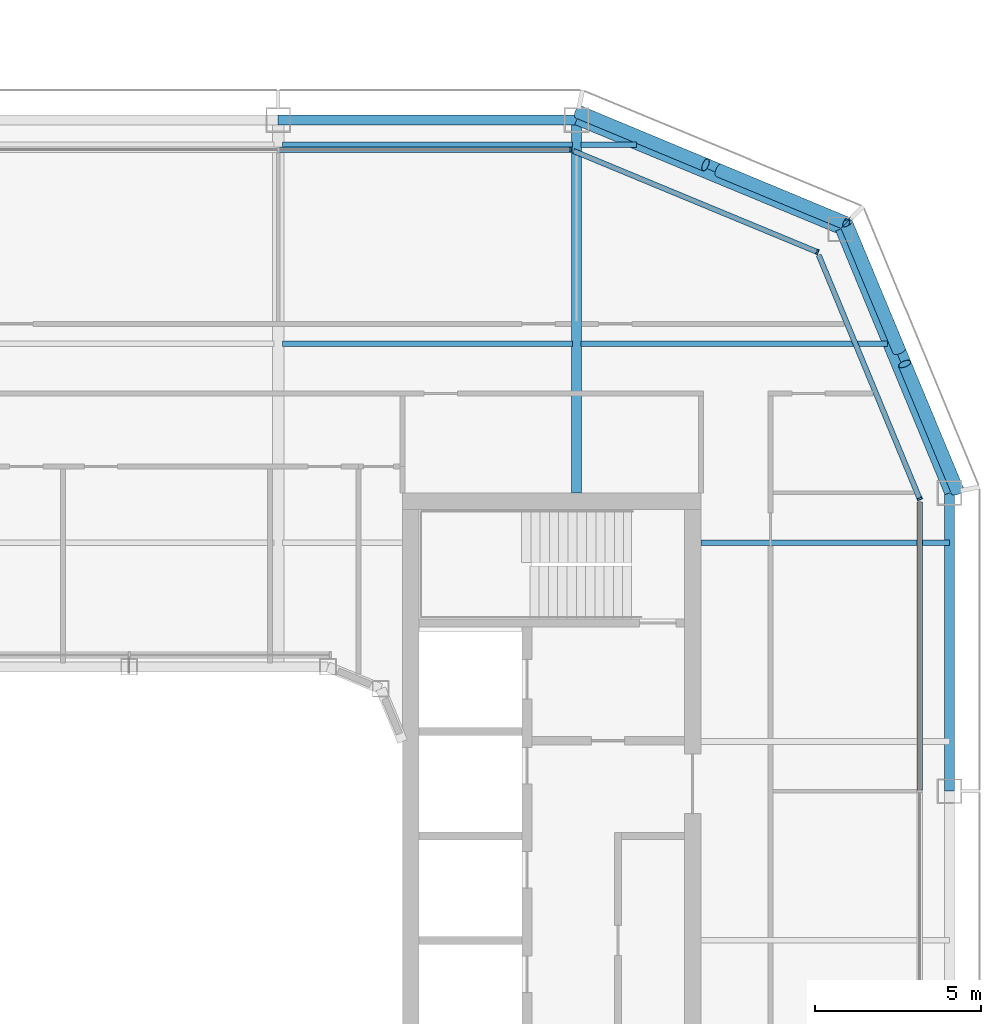
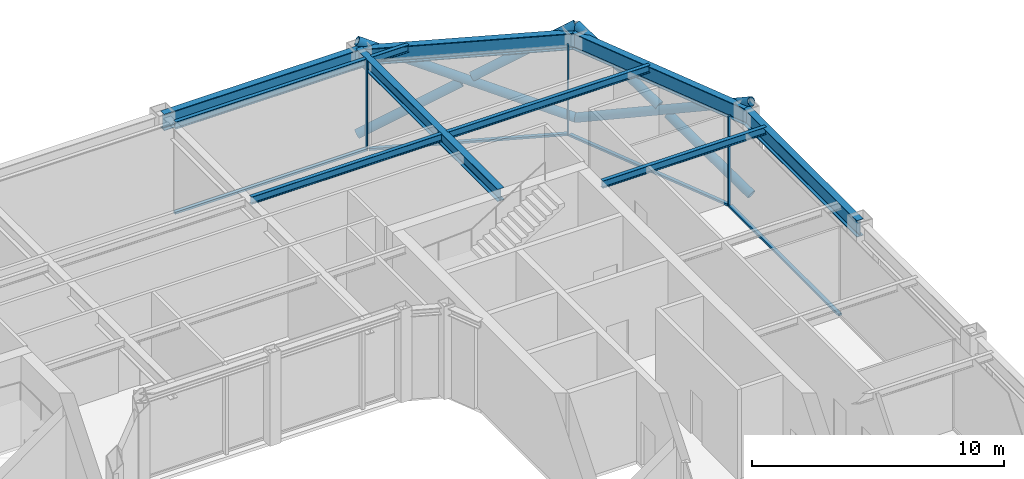
# One storey, part 9 of 21: 13 members, 10 beams, 4 elements without a shape of their own.
"""IFC4 building model written with IfcOpenShell, lengths in metres."""

import ifcopenshell
import ifcopenshell.guid

model = None  # the IFC model being written
_history = None  # IfcOwnerHistory: only IFC2X3 demands one
_inside = {}  # id of a spatial element -> (the spatial element, [elements in it])
_under = {}  # id of a project, library or spatial element -> (it, [spatial elements below it])
_declared = {}  # id of a project -> (the project, [libraries it declares])
_typed = {}  # id of a type object -> (the type object, [elements of that type])
_made_of = {}  # id of a material, layer set ... -> (it, [elements and type objects made of it])


def new_model(schema):
    """Start an empty IFC model of exactly this schema.

    Asked for "IFC4X3", IfcOpenShell would pick the latest addendum, in which some entities
    have other attributes; the version numbers below select the first issue.
    IFC2X3 requires an IfcOwnerHistory on every rooted entity: one is made here for all.
    """
    global model, _history
    if schema == "IFC4X3":
        model = ifcopenshell.file(schema_version=(4, 3, 0, 0))
    else:
        model = ifcopenshell.file(schema=schema)
    _inside.clear()
    _under.clear()
    _declared.clear()
    _typed.clear()
    _made_of.clear()
    _history = None
    if model.schema == "IFC2X3":
        org = make("IfcOrganization", Name="unknown")
        user = make(
            "IfcPersonAndOrganization",
            ThePerson=make("IfcPerson", FamilyName="unknown"),
            TheOrganization=org,
        )
        app = make(
            "IfcApplication",
            ApplicationDeveloper=org,
            Version="unknown",
            ApplicationFullName="unknown",
            ApplicationIdentifier="unknown",
        )
        _history = make(
            "IfcOwnerHistory",
            OwningUser=user,
            OwningApplication=app,
            ChangeAction="ADDED",
            CreationDate=0,
        )
    return model


def make(cls, **values):
    """One entity of the class cls with the attributes given. An attribute that is None is left unset."""
    return model.create_entity(
        cls, **{name: value for name, value in values.items() if value is not None}
    )


def rooted(cls, **values):
    """An entity with a GlobalId (a new one), such as an element, a storey or a relation."""
    return make(cls, GlobalId=ifcopenshell.guid.new(), OwnerHistory=_history, **values)


def si_unit(unit_type, name, prefix=None):
    """IfcSIUnit, for example si_unit("LENGTHUNIT", "METRE", prefix="MILLI")."""
    return make("IfcSIUnit", UnitType=unit_type, Prefix=prefix, Name=name)


def assignment(units):
    """IfcUnitAssignment: the units of a project."""
    return None if units is None else make("IfcUnitAssignment", Units=units)


def point(xyz):
    """IfcCartesianPoint."""
    return None if xyz is None else make("IfcCartesianPoint", Coordinates=xyz)


def direction(xyz):
    """IfcDirection."""
    return None if xyz is None else make("IfcDirection", DirectionRatios=xyz)


def frame(location, z_axis=None, x_axis=None):
    """IfcAxis2Placement3D, a coordinate frame: its origin and axes. An axis left out is left unset."""
    return make(
        "IfcAxis2Placement3D",
        Location=point(location),
        Axis=direction(z_axis),
        RefDirection=direction(x_axis),
    )


def frame_2d(location, x_axis=None):
    """IfcAxis2Placement2D, a coordinate frame in the plane: its origin and x axis."""
    return make(
        "IfcAxis2Placement2D", Location=point(location), RefDirection=direction(x_axis)
    )


def origin():
    """The frame at (0, 0, 0) with its axes left unset."""
    return frame((0.0, 0.0, 0.0))


def origin_2d():
    """The frame at (0, 0) in the plane with its x axis left unset."""
    return frame_2d((0.0, 0.0))


def place(relative_to, where):
    """IfcLocalPlacement: puts the frame where relative to a parent placement (None: the world)."""
    return make(
        "IfcLocalPlacement", PlacementRelTo=relative_to, RelativePlacement=where
    )


def context(
    kind, dimensions, precision=None, world=None, true_north=None, identifier=None
):
    """IfcGeometricRepresentationContext, for example the 3D "Model" context."""
    return make(
        "IfcGeometricRepresentationContext",
        ContextIdentifier=identifier,
        ContextType=kind,
        CoordinateSpaceDimension=dimensions,
        Precision=precision,
        WorldCoordinateSystem=world,
        TrueNorth=true_north,
    )


def subcontext(parent, identifier, kind, view, scale=None):
    """IfcGeometricRepresentationSubContext, for example "Body" below "Model"."""
    return make(
        "IfcGeometricRepresentationSubContext",
        ContextIdentifier=identifier,
        ContextType=kind,
        ParentContext=parent,
        TargetScale=scale,
        TargetView=view,
    )


def project(units=None, contexts=None):
    """IfcProject with its units and contexts."""
    return rooted(
        "IfcProject",
        Name="project",
        RepresentationContexts=contexts,
        UnitsInContext=assignment(units),
    )


def spatial(cls, under=None, at=None, **own):
    """A site, building, storey or space (cls), placed at a placement, below another one or the project."""
    s = rooted(cls, ObjectPlacement=at, **own)
    if under is not None:
        _under.setdefault(under.id(), (under, []))[1].append(s)
    return s


def profile(cls, at=None, kind="AREA", **sizes):
    """A parametric profile (cls). Its sizes go by their IFC names, for example OverallWidth=200.0."""
    return make(cls, ProfileType=kind, Position=at, **sizes)


def rectangle(**sizes):
    """IfcRectangleProfileDef."""
    return profile("IfcRectangleProfileDef", **sizes)


def hollow_circle(**sizes):
    """IfcCircleHollowProfileDef."""
    return profile("IfcCircleHollowProfileDef", **sizes)


def i_section(**sizes):
    """IfcIShapeProfileDef."""
    return profile("IfcIShapeProfileDef", **sizes)


def extrude(swept, where, along, depth):
    """IfcExtrudedAreaSolid: the profile swept, set in the frame where, extruded along a direction by depth."""
    return make(
        "IfcExtrudedAreaSolid",
        SweptArea=swept,
        Position=where,
        ExtrudedDirection=direction(along),
        Depth=depth,
    )


def shape(context_of_items, identifier, shape_type, items):
    """IfcShapeRepresentation: the items that make up one representation, for example the "Body"."""
    return make(
        "IfcShapeRepresentation",
        ContextOfItems=context_of_items,
        RepresentationIdentifier=identifier,
        RepresentationType=shape_type,
        Items=items,
    )


def material(Name=None, Category=None):
    """IfcMaterial."""
    return make("IfcMaterial", Name=Name, Category=Category)


def layer(
    of_material, thickness, ventilated=None, Name=None, Category=None, Priority=None
):
    """IfcMaterialLayer: one layer of a wall or slab, of a material (None: an air gap)."""
    return make(
        "IfcMaterialLayer",
        Material=of_material,
        LayerThickness=thickness,
        IsVentilated=ventilated,
        Name=Name,
        Category=Category,
        Priority=Priority,
    )


def layer_set(layers, Name=None):
    """IfcMaterialLayerSet."""
    return make("IfcMaterialLayerSet", MaterialLayers=layers, LayerSetName=Name)


def material_profile(
    of_material, cross_section, Name=None, Category=None, Priority=None
):
    """IfcMaterialProfile: a cross section and its material."""
    return make(
        "IfcMaterialProfile",
        Name=Name,
        Material=of_material,
        Profile=cross_section,
        Priority=Priority,
        Category=Category,
    )


def profile_set(profiles, Name=None, composite=None):
    """IfcMaterialProfileSet."""
    return make(
        "IfcMaterialProfileSet",
        Name=Name,
        MaterialProfiles=profiles,
        CompositeProfile=composite,
    )


def made_of(thing, what):
    """Note that an element or type object is made of a material, layer set ...; save() writes the relation."""
    if what is not None:
        _made_of.setdefault(what.id(), (what, []))[1].append(thing)
    return thing


def type_object(cls, material=None, **own):
    """A type object (cls), such as IfcWallType, which elements share."""
    return made_of(rooted(cls, **own), material)


def element(
    cls,
    number,
    at=None,
    inside=None,
    cuts=None,
    type_object=None,
    material=None,
    context=None,
    identifier="Body",
    shape_type=None,
    held_by="IfcProductDefinitionShape",
    body=None,
    shapes=None,
    **own,
):
    """One element of the class cls, such as IfcWall. Its Tag is "e" and its number.

    at: its placement. inside: the storey or other place that contains it. cuts: it is an
    opening in that element (IfcRelVoidsElement). A single representation is given by context,
    identifier, shape_type and body (its items); several are given by shapes. held_by: the class
    of the entity that holds the representations. save() writes the other relations.
    """
    e = rooted(cls, Tag="e%d" % number, ObjectPlacement=at, **own)
    if body is not None:
        shapes = [shape(context, identifier, shape_type, body)]
    if shapes is not None:
        e.Representation = make(held_by, Representations=shapes)
    if inside is not None:
        _inside.setdefault(inside.id(), (inside, []))[1].append(e)
    if cuts is not None:
        rooted(
            "IfcRelVoidsElement", RelatingBuildingElement=cuts, RelatedOpeningElement=e
        )
    if type_object is not None:
        _typed.setdefault(type_object.id(), (type_object, []))[1].append(e)
    return made_of(e, material)


def aggregate(whole, parts):
    """IfcRelAggregates: a whole, such as a stair, and the parts it consists of."""
    return rooted("IfcRelAggregates", RelatingObject=whole, RelatedObjects=parts)


def save(model, path):
    """Write the relations noted so far, then the file.

    IfcRelAggregates (storeys below a building ...), IfcRelContainedInSpatialStructure (elements
    in a storey), IfcRelDefinesByType, IfcRelAssociatesMaterial and IfcRelDeclares: one each for
    every whole, place, type object, material and project.
    """
    for whole, parts in _under.values():
        aggregate(whole, parts)
    for where, things in _inside.values():
        rooted(
            "IfcRelContainedInSpatialStructure",
            RelatedElements=things,
            RelatingStructure=where,
        )
    for kind, things in _typed.values():
        rooted("IfcRelDefinesByType", RelatedObjects=things, RelatingType=kind)
    for what, things in _made_of.values():
        rooted("IfcRelAssociatesMaterial", RelatedObjects=things, RelatingMaterial=what)
    for by, libraries in _declared.values():
        rooted("IfcRelDeclares", RelatingContext=by, RelatedDefinitions=libraries)
    model.write(path)


model = new_model("IFC4")

# Units and contexts
model_context = context("Model", 3, precision=1e-05, world=origin(), true_north=direction((0.0, 1.0)))
body_context = subcontext(model_context, "Body", "Model", "MODEL_VIEW")
ifc_project = project(units=[si_unit("LENGTHUNIT", "METRE"), si_unit("AREAUNIT", "SQUARE_METRE"), si_unit("VOLUMEUNIT", "CUBIC_METRE"), si_unit("PLANEANGLEUNIT", "RADIAN"), si_unit("MASSUNIT", "GRAM", prefix="KILO")], contexts=[model_context])

# Site, building, storey
site_placement = place(None, origin())
site = spatial("IfcSite", under=ifc_project, at=site_placement, CompositionType="ELEMENT")
building_placement = place(site_placement, origin())
building = spatial("IfcBuilding", under=site, at=building_placement, Name="Siwar Civic Tower", CompositionType="ELEMENT")
storey_placement = place(building_placement, frame((0.0, 0.0, 294.199951171875)))
storey = spatial("IfcBuildingStorey", under=building, at=storey_placement, Name="L63", CompositionType="ELEMENT", Elevation=294.199951171875)

# Curtain wall, member
ifc_material_1 = material(Name="Aluminium clad insulated panel", Category="aluminium")
ifc_layer_1 = layer(ifc_material_1, 0.159912109375)
ifc_layer_set_1 = layer_set([ifc_layer_1], Name="Aluminium clad insulated panel")
curtain_wall_type_1 = type_object("IfcCurtainWallType", Name="ENV-CW-DX", PredefinedType="NOTDEFINED", material=ifc_layer_set_1)
curtain_wall_1_placement = place(storey_placement, origin())
curtain_wall_1 = element("IfcCurtainWall", 1, at=curtain_wall_1_placement, inside=storey, type_object=curtain_wall_type_1, Name="Curtain wall D NE1", PredefinedType="NOTDEFINED")
ifc_material_2 = material(Name="Aluminium 6063-T6", Category="aluminium")
ifc_material_profile_1 = material_profile(ifc_material_2, rectangle(XDim=0.159912109375, YDim=0.06005859375, at=origin_2d()), Name="AL 160x60")
ifc_profile_set_1 = profile_set([ifc_material_profile_1], Name="Aluminium 6063-T6")
member_type_1 = type_object("IfcMemberType", Name="ENV-MULLION-D", PredefinedType="MULLION", material=ifc_profile_set_1)
member_1_placement = place(storey_placement, frame((23.85009765625, 13.321044921875, 0.0), z_axis=(0.0, 0.0, 1.0), x_axis=(-0.923879532511, -0.382683432365, 0.0)))
member_1 = element("IfcMember", 2, at=member_1_placement, type_object=member_type_1, Name="Mullion D NE1 1", PredefinedType="MULLION", context=body_context, shape_type="SweptSolid", body=[
    extrude(rectangle(XDim=0.159912109375, YDim=0.06005859375, at=origin_2d()), origin(), (0.0, 0.0, 1.0), 4.35009765625),
])

curtain_wall_2_placement = place(storey_placement, origin())
curtain_wall_2 = element("IfcCurtainWall", 3, at=curtain_wall_2_placement, inside=storey, type_object=curtain_wall_type_1, Name="Curtain wall D NE2", PredefinedType="NOTDEFINED")
member_2_placement = place(storey_placement, frame((20.76611328125, 20.76611328125, 0.0), z_axis=(0.0, 0.0, 1.0), x_axis=(-0.382683432365, -0.923879532511, 0.0)))
member_2 = element("IfcMember", 4, at=member_2_placement, type_object=member_type_1, Name="Mullion D NE2 1", PredefinedType="MULLION", context=body_context, shape_type="SweptSolid", body=[
    extrude(rectangle(XDim=0.159912109375, YDim=0.06005859375, at=origin_2d()), origin(), (0.0, 0.0, 1.0), 4.35009765625),
])

ifc_material_3 = material(Name="Aluminium and glass", Category="aluminium")
ifc_layer_2 = layer(ifc_material_3, 0.159912109375)
ifc_layer_set_2 = layer_set([ifc_layer_2], Name="Aluminium and glass")
curtain_wall_type_2 = type_object("IfcCurtainWallType", Name="ENV-CW-D", PredefinedType="NOTDEFINED", material=ifc_layer_set_2)
curtain_wall_3_placement = place(storey_placement, origin())
curtain_wall_3 = element("IfcCurtainWall", 5, at=curtain_wall_3_placement, inside=storey, type_object=curtain_wall_type_2, Name="Curtain wall D N", PredefinedType="NOTDEFINED")
member_3_placement = place(storey_placement, frame((13.321044921875, 23.85009765625, 0.0), z_axis=(0.0, 0.0, 1.0), x_axis=(0.0, -1.0, 0.0)))
member_3 = element("IfcMember", 6, at=member_3_placement, type_object=member_type_1, Name="Mullion D N 1", PredefinedType="MULLION", context=body_context, shape_type="SweptSolid", body=[
    extrude(rectangle(XDim=0.159912109375, YDim=0.06005859375, at=origin_2d()), origin(), (0.0, 0.0, 1.0), 4.35009765625),
])

curtain_wall_4_placement = place(storey_placement, origin())
curtain_wall_4 = element("IfcCurtainWall", 7, at=curtain_wall_4_placement, inside=storey, type_object=curtain_wall_type_2, Name="Curtain wall D E", PredefinedType="NOTDEFINED")
ifc_material_4 = material(Name="Aluminium 6063-T6", Category="aluminium")
ifc_material_profile_2 = material_profile(ifc_material_4, rectangle(XDim=0.159912109375, YDim=0.10009765625, at=origin_2d()), Name="AL 160x100")
ifc_profile_set_2 = profile_set([ifc_material_profile_2], Name="Aluminium 6063-T6")
member_type_2 = type_object("IfcMemberType", Name="ENV-TRANSOM-D", PredefinedType="USERDEFINED", material=ifc_profile_set_2)
member_4_placement = place(storey_placement, frame((23.85009765625, 4.530029296875, 0.050048828125), z_axis=(0.0, 1.0, 0.0), x_axis=(-1.0, 0.0, 0.0)))
member_4 = element("IfcMember", 8, at=member_4_placement, type_object=member_type_2, Name="Transom D E 3", ObjectType="TRANSOM", PredefinedType="USERDEFINED", context=body_context, shape_type="SweptSolid", body=[
    extrude(rectangle(XDim=0.159912109375, YDim=0.10009765625, at=origin_2d()), origin(), (0.0, 0.0, 1.0), 8.693115234375),
])
aggregate(curtain_wall_4, [member_4])

# Member
member_5_placement = place(storey_placement, frame((23.838623046875, 13.3486328125, 0.050048828125), z_axis=(-0.382699790424, 0.923872756612, 0.0), x_axis=(-0.923872756612, -0.382699790424, 0.0)))
member_5 = element("IfcMember", 9, at=member_5_placement, type_object=member_type_2, Name="Transom D NE1 1", ObjectType="TRANSOM", PredefinedType="USERDEFINED", context=body_context, shape_type="SweptSolid", body=[
    extrude(rectangle(XDim=0.159912109375, YDim=0.10009765625, at=origin_2d()), origin(), (0.0, 0.0, 1.0), 7.930908203125),
])

aggregate(curtain_wall_1, [member_1, member_5])

member_6_placement = place(storey_placement, frame((20.738525390625, 20.777587890625, 0.050048828125), z_axis=(-0.923883640343, 0.382673515031, 0.0), x_axis=(-0.382673515031, -0.923883640343, 0.0)))
member_6 = element("IfcMember", 10, at=member_6_placement, type_object=member_type_2, Name="Transom D NE2 1", ObjectType="TRANSOM", PredefinedType="USERDEFINED", context=body_context, shape_type="SweptSolid", body=[
    extrude(rectangle(XDim=0.159912109375, YDim=0.10009765625, at=origin_2d()), origin(), (0.0, 0.0, 1.0), 7.930908203125),
])

aggregate(curtain_wall_2, [member_2, member_6])

member_7_placement = place(storey_placement, frame((13.291015625, 23.85009765625, 0.050048828125), z_axis=(-1.0, 0.0, 0.0), x_axis=(0.0, -1.0, 0.0)))
member_7 = element("IfcMember", 11, at=member_7_placement, type_object=member_type_2, Name="Transom D N 1", ObjectType="TRANSOM", PredefinedType="USERDEFINED", context=body_context, shape_type="SweptSolid", body=[
    extrude(rectangle(XDim=0.159912109375, YDim=0.10009765625, at=origin_2d()), origin(), (0.0, 0.0, 1.0), 8.760986328125),
])

aggregate(curtain_wall_3, [member_3, member_7])

# Members
ifc_material_5 = material(Name="Steel S355", Category="steel")
ifc_material_profile_3 = material_profile(ifc_material_5, hollow_circle(Radius=0.203125, WallThickness=0.01611328125, at=origin_2d()), Name="CHS406.4x16")
ifc_profile_set_3 = profile_set([ifc_material_profile_3], Name="Steel S355")
member_type_3 = type_object("IfcMemberType", Name="STR-BR-CHS406.4x16", PredefinedType="BRACE", material=ifc_profile_set_3)
member_8_placement = place(storey_placement, frame((21.6318359375, 21.6318359375, 0.0), z_axis=(-0.821142553604, 0.341671493852, 0.457149315816), x_axis=(-0.384163874976, -0.923264922524, 0.0)))
element("IfcMember", 12, at=member_8_placement, inside=storey, type_object=member_type_3, Name="L63/brc/DNE1-2-0-1", PredefinedType="BRACE", context=body_context, shape_type="SweptSolid", body=[
    extrude(hollow_circle(Radius=0.203125, WallThickness=0.01611328125, at=origin_2d()), origin(), (0.0, 0.0, 1.0), 9.843505859375),
])
for number, where, z_axis, x_axis, name in (
    (13, (13.548828125, 24.9951171875, 0.0), (0.821130093572, -0.341659024948, 0.45718101459), (0.384156893273, 0.923267827529, 0.0), "L63/brc/DNE1-2-0-2"),
    (14, (17.791259765625, 23.229736328125, 2.362060546875), (0.821166691915, -0.341652533125, 0.457120127208), (0.38413607648, 0.923276488787, 0.0), "L63/brc/DNE1-2-0-3"),
):
    element("IfcMember", number, at=place(storey_placement, frame(where, z_axis=z_axis, x_axis=x_axis)), inside=storey, type_object=member_type_3, Name=name, PredefinedType="BRACE", context=body_context, shape_type="SweptSolid", body=[
        extrude(hollow_circle(Radius=0.203125, WallThickness=0.01611328125, at=origin_2d()), origin(), (0.0, 0.0, 1.0), 4.677001953125),
    ])
member_9_placement = place(storey_placement, frame((21.6318359375, 21.6318359375, 0.0), z_axis=(0.341671493852, -0.821142553604, 0.457149315816), x_axis=(0.923264922524, 0.384163874976, 0.0)))
element("IfcMember", 15, at=member_9_placement, inside=storey, type_object=member_type_3, Name="L63/brc/DNE1-2-0-0", PredefinedType="BRACE", context=body_context, shape_type="SweptSolid", body=[
    extrude(hollow_circle(Radius=0.203125, WallThickness=0.01611328125, at=origin_2d()), origin(), (0.0, 0.0, 1.0), 9.843505859375),
])
for number, where, z_axis, x_axis, name in (
    (16, (24.9951171875, 13.548828125, 0.0), (-0.341659024948, 0.821130093572, 0.45718101459), (-0.923267827529, -0.384156893273, 0.0), "L63/brc/DNE1-2-0-4"),
    (17, (23.229736328125, 17.791259765625, 2.362060546875), (-0.341652533125, 0.821166691915, 0.457120127208), (-0.923276488787, -0.38413607648, 0.0), "L63/brc/DNE1-2-0-5"),
):
    element("IfcMember", number, at=place(storey_placement, frame(where, z_axis=z_axis, x_axis=x_axis)), inside=storey, type_object=member_type_3, Name=name, PredefinedType="BRACE", context=body_context, shape_type="SweptSolid", body=[
        extrude(hollow_circle(Radius=0.203125, WallThickness=0.01611328125, at=origin_2d()), origin(), (0.0, 0.0, 1.0), 4.677001953125),
    ])

# Beams
ifc_material_6 = material(Name="Steel S355", Category="steel")
ifc_material_profile_4 = material_profile(ifc_material_6, i_section(OverallWidth=0.169921875, OverallDepth=0.360107421875, WebThickness=0.008056640625, FlangeThickness=0.0126953125, FilletRadius=0.01806640625, at=origin_2d()), Name="IPE360")
ifc_profile_set_4 = profile_set([ifc_material_profile_4], Name="Steel S355")
beam_type_1 = type_object("IfcBeamType", Name="STR-FB-IPE360", PredefinedType="JOIST", material=ifc_profile_set_4)
beam_1_placement = place(storey_placement, frame((17.25, 12.0, 4.170166015625), z_axis=(1.0, 0.0, 0.0), x_axis=(0.0, 1.0, 0.0)))
element("IfcBeam", 18, at=beam_1_placement, inside=storey, type_object=beam_type_1, Name="L63/bm/F026", PredefinedType="JOIST", context=body_context, shape_type="SweptSolid", body=[
    extrude(i_section(OverallWidth=0.169921875, OverallDepth=0.360107421875, WebThickness=0.008056640625, FlangeThickness=0.0126953125, FilletRadius=0.01806640625, at=origin_2d()), origin(), (0.0, 0.0, 1.0), 7.5),
])
beam_2_placement = place(storey_placement, frame((4.6298828125, 18.0, 4.170166015625), z_axis=(1.0, 0.0, 0.0), x_axis=(0.0, 1.0, 0.0)))
element("IfcBeam", 19, at=beam_2_placement, inside=storey, type_object=beam_type_1, Name="L63/bm/F030", PredefinedType="JOIST", context=body_context, shape_type="SweptSolid", body=[
    extrude(i_section(OverallWidth=0.169921875, OverallDepth=0.360107421875, WebThickness=0.008056640625, FlangeThickness=0.0126953125, FilletRadius=0.01806640625, at=origin_2d()), origin(), (0.0, 0.0, 1.0), 8.740234375),
])
beam_3_placement = place(storey_placement, frame((13.6298828125, 18.0, 4.170166015625), z_axis=(1.0, 0.0, 0.0), x_axis=(0.0, 1.0, 0.0)))
element("IfcBeam", 20, at=beam_3_placement, inside=storey, type_object=beam_type_1, Name="L63/bm/F031", PredefinedType="JOIST", context=body_context, shape_type="SweptSolid", body=[
    extrude(i_section(OverallWidth=0.169921875, OverallDepth=0.360107421875, WebThickness=0.008056640625, FlangeThickness=0.0126953125, FilletRadius=0.01806640625, at=origin_2d()), origin(), (0.0, 0.0, 1.0), 9.256103515625),
])
beam_4_placement = place(storey_placement, frame((4.6298828125, 24.0, 4.170166015625), z_axis=(1.0, 0.0, 0.0), x_axis=(0.0, 1.0, 0.0)))
element("IfcBeam", 21, at=beam_4_placement, inside=storey, type_object=beam_type_1, Name="L63/bm/F035", PredefinedType="JOIST", context=body_context, shape_type="SweptSolid", body=[
    extrude(i_section(OverallWidth=0.169921875, OverallDepth=0.360107421875, WebThickness=0.008056640625, FlangeThickness=0.0126953125, FilletRadius=0.01806640625, at=origin_2d()), origin(), (0.0, 0.0, 1.0), 8.740234375),
])
beam_5_placement = place(storey_placement, frame((13.6298828125, 24.0, 4.170166015625), z_axis=(1.0, 0.0, 0.0), x_axis=(0.0, 1.0, 0.0)))
element("IfcBeam", 22, at=beam_5_placement, inside=storey, type_object=beam_type_1, Name="L63/bm/F036", PredefinedType="JOIST", context=body_context, shape_type="SweptSolid", body=[
    extrude(i_section(OverallWidth=0.169921875, OverallDepth=0.360107421875, WebThickness=0.008056640625, FlangeThickness=0.0126953125, FilletRadius=0.01806640625, at=origin_2d()), origin(), (0.0, 0.0, 1.0), 1.6806640625),
])
ifc_material_7 = material(Name="Steel S355", Category="steel")
ifc_material_profile_5 = material_profile(ifc_material_7, i_section(OverallWidth=0.300048828125, OverallDepth=0.60009765625, WebThickness=0.015380859375, FlangeThickness=0.030029296875, FilletRadius=0.027099609375, at=origin_2d()), Name="HEB600")
ifc_profile_set_5 = profile_set([ifc_material_profile_5], Name="Steel S355")
beam_type_2 = type_object("IfcBeamType", Name="STR-PG-HEB600", PredefinedType="BEAM", material=ifc_profile_set_5)
beam_6_placement = place(storey_placement, frame((13.5, 13.5, 4.050048828125), z_axis=(0.0, 1.0, 0.0), x_axis=(-1.0, 0.0, 0.0)))
element("IfcBeam", 23, at=beam_6_placement, inside=storey, type_object=beam_type_2, Name="L63/bm/G08", PredefinedType="BEAM", context=body_context, shape_type="SweptSolid", body=[
    extrude(i_section(OverallWidth=0.300048828125, OverallDepth=0.60009765625, WebThickness=0.015380859375, FlangeThickness=0.030029296875, FilletRadius=0.027099609375, at=origin_2d()), origin(), (0.0, 0.0, 1.0), 11.25),
])
ifc_material_8 = material(Name="Steel S355", Category="steel")
ifc_material_profile_6 = material_profile(ifc_material_8, i_section(OverallWidth=0.300048828125, OverallDepth=0.800048828125, WebThickness=0.017578125, FlangeThickness=0.032958984375, FilletRadius=0.030029296875, at=origin_2d()), Name="HEB800")
ifc_profile_set_6 = profile_set([ifc_material_profile_6], Name="Steel S355")
beam_type_3 = type_object("IfcBeamType", Name="STR-SB-HEB800", PredefinedType="BEAM", material=ifc_profile_set_6)
beam_7_placement = place(storey_placement, frame((24.75, 4.5, 3.949951171875), z_axis=(0.0, 1.0, 0.0), x_axis=(-1.0, 0.0, 0.0)))
element("IfcBeam", 24, at=beam_7_placement, inside=storey, type_object=beam_type_3, Name="L63/bm/SE-2", PredefinedType="BEAM", context=body_context, shape_type="SweptSolid", body=[
    extrude(i_section(OverallWidth=0.300048828125, OverallDepth=0.800048828125, WebThickness=0.017578125, FlangeThickness=0.032958984375, FilletRadius=0.030029296875, at=origin_2d()), origin(), (0.0, 0.0, 1.0), 9.0),
])
for number, where, z_axis, x_axis, name in (
    (25, (24.75, 13.5, 3.949951171875), (-0.382699877515, 0.923872720536, 0.0), (-0.923872720536, -0.382699877515, 0.0), "L63/bm/SNE1-0"),
    (26, (21.454833984375, 21.454833984375, 3.949951171875), (-0.923872720536, 0.382699877515, 0.0), (-0.382699877515, -0.923872720536, 0.0), "L63/bm/SNE2-0"),
):
    element("IfcBeam", number, at=place(storey_placement, frame(where, z_axis=z_axis, x_axis=x_axis)), inside=storey, type_object=beam_type_3, Name=name, PredefinedType="BEAM", context=body_context, shape_type="SweptSolid", body=[
        extrude(i_section(OverallWidth=0.300048828125, OverallDepth=0.800048828125, WebThickness=0.017578125, FlangeThickness=0.032958984375, FilletRadius=0.030029296875, at=origin_2d()), origin(), (0.0, 0.0, 1.0), 8.6103515625),
    ])
beam_8_placement = place(storey_placement, frame((13.5, 24.75, 3.949951171875), z_axis=(-1.0, 0.0, 0.0), x_axis=(0.0, -1.0, 0.0)))
element("IfcBeam", 27, at=beam_8_placement, inside=storey, type_object=beam_type_3, Name="L63/bm/SN-0", PredefinedType="BEAM", context=body_context, shape_type="SweptSolid", body=[
    extrude(i_section(OverallWidth=0.300048828125, OverallDepth=0.800048828125, WebThickness=0.017578125, FlangeThickness=0.032958984375, FilletRadius=0.030029296875, at=origin_2d()), origin(), (0.0, 0.0, 1.0), 9.0),
])

save(model, "model.ifc")
